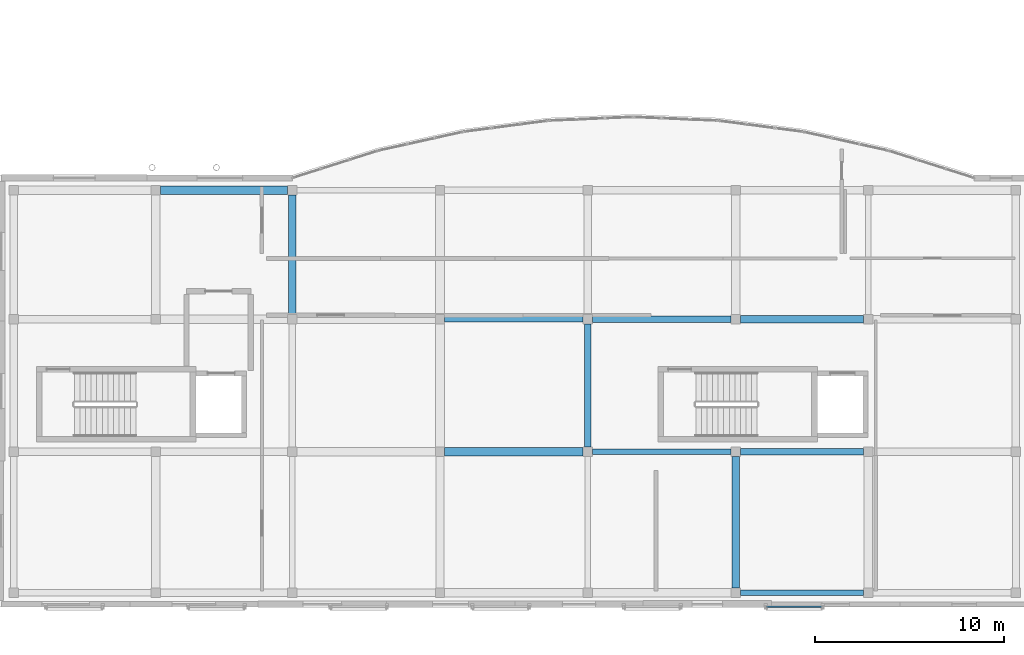
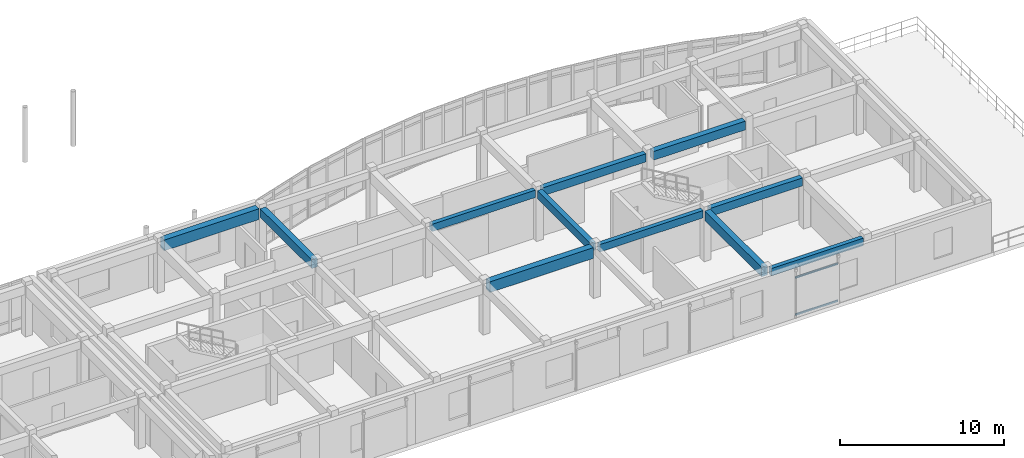
# One storey, part 35 of 91: 11 beams, 2 members.
"""IFC4 building model written with IfcOpenShell, lengths in metres."""

from ifc_helpers import new_model, si_unit, direction, frame, origin, origin_2d, place, context, subcontext, project, spatial, rectangle, hollow_rectangle, extrude, material, material_profile, profile_set, type_object, element, save


model = new_model("IFC4")

# Units and contexts
model_context = context("Model", 3, precision=1e-05, world=origin(), true_north=direction((0.0, 1.0)))
body_context = subcontext(model_context, "Body", "Model", "MODEL_VIEW")
ifc_project = project(units=[si_unit("LENGTHUNIT", "METRE"), si_unit("AREAUNIT", "SQUARE_METRE"), si_unit("VOLUMEUNIT", "CUBIC_METRE"), si_unit("PLANEANGLEUNIT", "RADIAN"), si_unit("MASSUNIT", "GRAM", prefix="KILO")], contexts=[model_context])

# Site, building, storey
site_placement = place(None, origin())
site = spatial("IfcSite", under=ifc_project, at=site_placement, CompositionType="ELEMENT")
building_placement = place(site_placement, origin())
building = spatial("IfcBuilding", under=site, at=building_placement, Name="Valcora Specialist Clinic", CompositionType="ELEMENT")
storey_placement = place(building_placement, frame((0.0, 0.0, 13.60009765625)))
storey = spatial("IfcBuildingStorey", under=building, at=storey_placement, Name="L03", CompositionType="ELEMENT", Elevation=13.60009765625)

# Beams
ifc_material_1 = material(Name="Concrete C40/50", Category="concrete")
ifc_material_profile_1 = material_profile(ifc_material_1, rectangle(XDim=0.300048828125, YDim=0.550048828125, at=origin_2d()), Name="RC-BM-300X550")
ifc_profile_set_1 = profile_set([ifc_material_profile_1], Name="Concrete C40/50")
beam_type_1 = type_object("IfcBeamType", Name="TY-BM-RC300X550", PredefinedType="BEAM", material=ifc_profile_set_1)
beam_1_placement = place(storey_placement, frame((92.64990234375, 0.75, 3.5048828125), z_axis=(1.0, 0.0, 0.0), x_axis=(0.0, 1.0, 0.0)))
element("IfcBeam", 1, at=beam_1_placement, inside=storey, type_object=beam_type_1, Name="Beam BM-L03-1423", PredefinedType="BEAM", context=body_context, shape_type="SweptSolid", body=[
    extrude(rectangle(XDim=0.300048828125, YDim=0.550048828125, at=origin_2d()), origin(), (0.0, 0.0, 1.0), 6.5),
])
beam_2_placement = place(storey_placement, frame((84.85009765625, 8.199951171875, 3.5048828125), z_axis=(1.0, 0.0, 0.0), x_axis=(0.0, 1.0, 0.0)))
element("IfcBeam", 2, at=beam_2_placement, inside=storey, type_object=beam_type_1, Name="Beam BM-L03-1429", PredefinedType="BEAM", context=body_context, shape_type="SweptSolid", body=[
    extrude(rectangle(XDim=0.300048828125, YDim=0.550048828125, at=origin_2d()), origin(), (0.0, 0.0, 1.0), 7.2998046875),
])
beam_3_placement = place(storey_placement, frame((77.050048828125, 15.199951171875, 3.5048828125), z_axis=(1.0, 0.0, 0.0), x_axis=(0.0, 1.0, 0.0)))
element("IfcBeam", 3, at=beam_3_placement, inside=storey, type_object=beam_type_1, Name="Beam BM-L03-1435", PredefinedType="BEAM", context=body_context, shape_type="SweptSolid", body=[
    extrude(rectangle(XDim=0.300048828125, YDim=0.550048828125, at=origin_2d()), origin(), (0.0, 0.0, 1.0), 7.300048828125),
])
ifc_material_profile_2 = material_profile(ifc_material_1, rectangle(XDim=0.35009765625, YDim=0.60009765625, at=origin_2d()), Name="RC-BM-350X600")
ifc_profile_set_2 = profile_set([ifc_material_profile_2], Name="Concrete C40/50")
beam_type_2 = type_object("IfcBeamType", Name="TY-BM-RC350X600", PredefinedType="BEAM", material=ifc_profile_set_2)
beam_4_placement = place(storey_placement, frame((92.64990234375, 8.199951171875, 3.47998046875), z_axis=(1.0, 0.0, 0.0), x_axis=(0.0, 1.0, 0.0)))
element("IfcBeam", 4, at=beam_4_placement, inside=storey, type_object=beam_type_2, Name="Beam BM-L03-1430", PredefinedType="BEAM", context=body_context, shape_type="SweptSolid", body=[
    extrude(rectangle(XDim=0.35009765625, YDim=0.60009765625, at=origin_2d()), origin(), (0.0, 0.0, 1.0), 6.5),
])
beam_5_placement = place(storey_placement, frame((84.85009765625, 15.199951171875, 3.47998046875), z_axis=(1.0, 0.0, 0.0), x_axis=(0.0, 1.0, 0.0)))
element("IfcBeam", 5, at=beam_5_placement, inside=storey, type_object=beam_type_2, Name="Beam BM-L03-1436", PredefinedType="BEAM", context=body_context, shape_type="SweptSolid", body=[
    extrude(rectangle(XDim=0.35009765625, YDim=0.60009765625, at=origin_2d()), origin(), (0.0, 0.0, 1.0), 7.2998046875),
])
beam_6_placement = place(storey_placement, frame((84.60009765625, 8.449951171875, 3.47998046875), z_axis=(0.0, 1.0, 0.0), x_axis=(-1.0, 0.0, 0.0)))
element("IfcBeam", 6, at=beam_6_placement, inside=storey, type_object=beam_type_2, Name="Beam BM-L03-1458", PredefinedType="BEAM", context=body_context, shape_type="SweptSolid", body=[
    extrude(rectangle(XDim=0.35009765625, YDim=0.60009765625, at=origin_2d()), origin(), (0.0, 0.0, 1.0), 6.5),
])
ifc_material_profile_3 = material_profile(ifc_material_1, rectangle(XDim=0.39990234375, YDim=0.64990234375, at=origin_2d()), Name="RC-BM-400X650")
ifc_profile_set_3 = profile_set([ifc_material_profile_3], Name="Concrete C40/50")
beam_type_3 = type_object("IfcBeamType", Name="TY-BM-RC400X650", PredefinedType="BEAM", material=ifc_profile_set_3)
beam_7_placement = place(storey_placement, frame((92.64990234375, 15.199951171875, 3.454833984375), z_axis=(1.0, 0.0, 0.0), x_axis=(0.0, 1.0, 0.0)))
element("IfcBeam", 7, at=beam_7_placement, inside=storey, type_object=beam_type_3, Name="Beam BM-L03-1437", PredefinedType="BEAM", context=body_context, shape_type="SweptSolid", body=[
    extrude(rectangle(XDim=0.39990234375, YDim=0.64990234375, at=origin_2d()), origin(), (0.0, 0.0, 1.0), 6.5),
])
beam_8_placement = place(storey_placement, frame((69.0, 15.449951171875, 3.454833984375), z_axis=(0.0, 1.0, 0.0), x_axis=(-1.0, 0.0, 0.0)))
element("IfcBeam", 8, at=beam_8_placement, inside=storey, type_object=beam_type_3, Name="Beam BM-L03-1453", PredefinedType="BEAM", context=body_context, shape_type="SweptSolid", body=[
    extrude(rectangle(XDim=0.39990234375, YDim=0.64990234375, at=origin_2d()), origin(), (0.0, 0.0, 1.0), 6.300048828125),
])
ifc_material_profile_4 = material_profile(ifc_material_1, rectangle(XDim=0.39990234375, YDim=0.699951171875, at=origin_2d()), Name="RC-BM-400X700")
ifc_profile_set_4 = profile_set([ifc_material_profile_4], Name="Concrete C40/50")
beam_type_4 = type_object("IfcBeamType", Name="TY-BM-RC400X700", PredefinedType="BEAM", material=ifc_profile_set_4)
beam_9_placement = place(storey_placement, frame((92.39990234375, 1.0, 3.429931640625), z_axis=(0.0, 1.0, 0.0), x_axis=(-1.0, 0.0, 0.0)))
element("IfcBeam", 9, at=beam_9_placement, inside=storey, type_object=beam_type_4, Name="Beam BM-L03-1460", PredefinedType="BEAM", context=body_context, shape_type="SweptSolid", body=[
    extrude(rectangle(XDim=0.39990234375, YDim=0.699951171875, at=origin_2d()), origin(), (0.0, 0.0, 1.0), 6.949951171875),
])
ifc_material_profile_5 = material_profile(ifc_material_1, rectangle(XDim=0.449951171875, YDim=0.800048828125, at=origin_2d()), Name="RC-BM-450X800")
ifc_profile_set_5 = profile_set([ifc_material_profile_5], Name="Concrete C40/50")
beam_type_5 = type_object("IfcBeamType", Name="TY-BM-RC450X800", PredefinedType="BEAM", material=ifc_profile_set_5)
beam_10_placement = place(storey_placement, frame((77.050048828125, 8.199951171875, 3.3798828125), z_axis=(1.0, 0.0, 0.0), x_axis=(0.0, 1.0, 0.0)))
element("IfcBeam", 10, at=beam_10_placement, inside=storey, type_object=beam_type_5, Name="Beam BM-L03-1428", PredefinedType="BEAM", context=body_context, shape_type="SweptSolid", body=[
    extrude(rectangle(XDim=0.449951171875, YDim=0.800048828125, at=origin_2d()), origin(), (0.0, 0.0, 1.0), 7.300048828125),
])
beam_11_placement = place(storey_placement, frame((62.050048828125, 22.0, 3.3798828125), z_axis=(1.0, 0.0, 0.0), x_axis=(0.0, 1.0, 0.0)))
element("IfcBeam", 11, at=beam_11_placement, inside=storey, type_object=beam_type_5, Name="Beam BM-L03-1440", PredefinedType="BEAM", context=body_context, shape_type="SweptSolid", body=[
    extrude(rectangle(XDim=0.449951171875, YDim=0.800048828125, at=origin_2d()), origin(), (0.0, 0.0, 1.0), 6.699951171875),
])

# Members
ifc_material_2 = material(Name="Steel ASTM A500 Grade C", Category="steel")
ifc_material_profile_6 = material_profile(ifc_material_2, hollow_rectangle(XDim=0.080078125, YDim=0.1201171875, WallThickness=0.0048828125, at=origin_2d()), Name="ST-RHS-120X80X5")
ifc_profile_set_6 = profile_set([ifc_material_profile_6], Name="Steel ASTM A500 Grade C")
member_type = type_object("IfcMemberType", Name="TY-MB-SFRAIL", PredefinedType="STRINGER", material=ifc_profile_set_6)
for number, where, z_axis, x_axis, name in (
    (12, (94.0, 0.010009765625, 0.239990234375), (1.0, 0.0, 0.0), (0.0, 1.0, 0.0), "Brick screen carrier rail 159"),
    (13, (94.0, 0.010009765625, 3.0), (1.0, 0.0, 0.0), (0.0, 1.0, 0.0), "Brick screen carrier rail 160"),
):
    element("IfcMember", number, at=place(storey_placement, frame(where, z_axis=z_axis, x_axis=x_axis)), inside=storey, type_object=member_type, Name=name, PredefinedType="STRINGER", context=body_context, shape_type="SweptSolid", body=[
        extrude(hollow_rectangle(XDim=0.080078125, YDim=0.1201171875, WallThickness=0.0048828125, at=origin_2d()), origin(), (0.0, 0.0, 1.0), 3.0),
    ])

save(model, "model.ifc")
